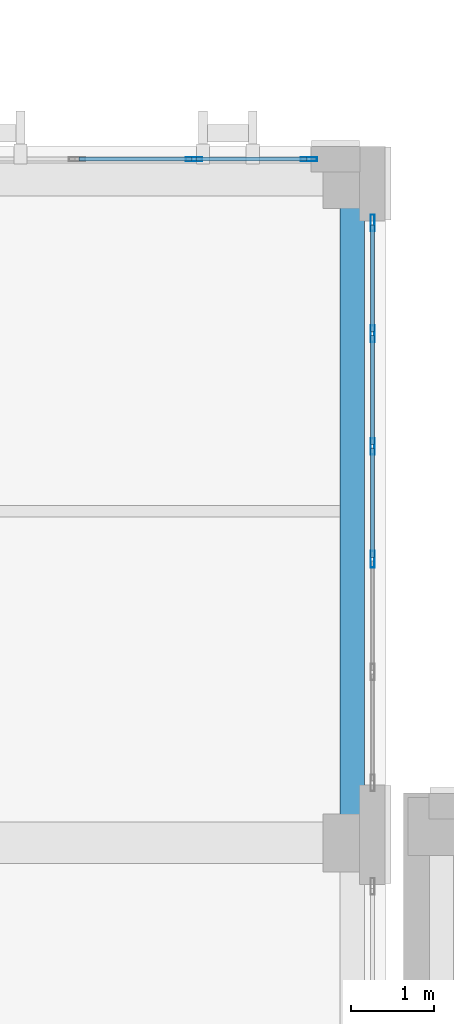
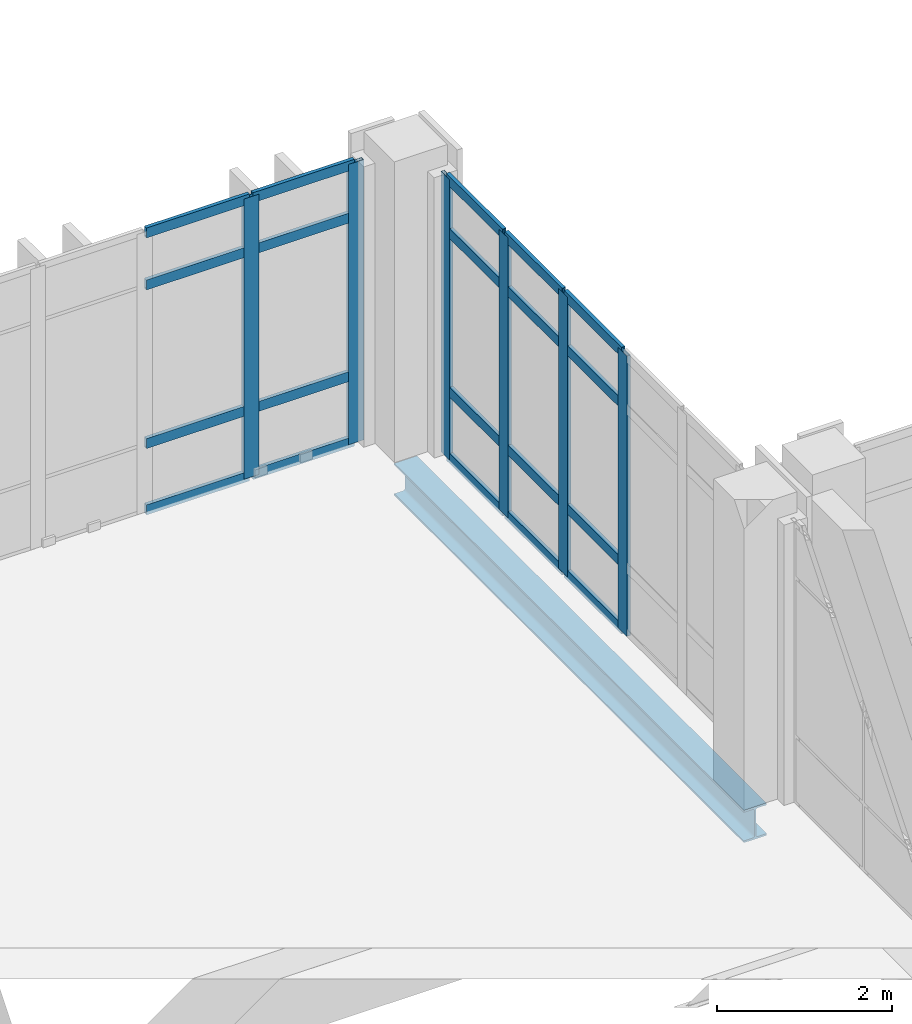
# One storey, part 55 of 193: 26 members, 1 beam, 2 elements without a shape of their own.
"""IFC4 building model written with IfcOpenShell, lengths in metres."""

import ifcopenshell
import ifcopenshell.guid

model = None  # the IFC model being written
_history = None  # IfcOwnerHistory: only IFC2X3 demands one
_inside = {}  # id of a spatial element -> (the spatial element, [elements in it])
_under = {}  # id of a project, library or spatial element -> (it, [spatial elements below it])
_declared = {}  # id of a project -> (the project, [libraries it declares])
_typed = {}  # id of a type object -> (the type object, [elements of that type])
_made_of = {}  # id of a material, layer set ... -> (it, [elements and type objects made of it])


def new_model(schema):
    """Start an empty IFC model of exactly this schema.

    Asked for "IFC4X3", IfcOpenShell would pick the latest addendum, in which some entities
    have other attributes; the version numbers below select the first issue.
    IFC2X3 requires an IfcOwnerHistory on every rooted entity: one is made here for all.
    """
    global model, _history
    if schema == "IFC4X3":
        model = ifcopenshell.file(schema_version=(4, 3, 0, 0))
    else:
        model = ifcopenshell.file(schema=schema)
    _inside.clear()
    _under.clear()
    _declared.clear()
    _typed.clear()
    _made_of.clear()
    _history = None
    if model.schema == "IFC2X3":
        org = make("IfcOrganization", Name="unknown")
        user = make(
            "IfcPersonAndOrganization",
            ThePerson=make("IfcPerson", FamilyName="unknown"),
            TheOrganization=org,
        )
        app = make(
            "IfcApplication",
            ApplicationDeveloper=org,
            Version="unknown",
            ApplicationFullName="unknown",
            ApplicationIdentifier="unknown",
        )
        _history = make(
            "IfcOwnerHistory",
            OwningUser=user,
            OwningApplication=app,
            ChangeAction="ADDED",
            CreationDate=0,
        )
    return model


def make(cls, **values):
    """One entity of the class cls with the attributes given. An attribute that is None is left unset."""
    return model.create_entity(
        cls, **{name: value for name, value in values.items() if value is not None}
    )


def rooted(cls, **values):
    """An entity with a GlobalId (a new one), such as an element, a storey or a relation."""
    return make(cls, GlobalId=ifcopenshell.guid.new(), OwnerHistory=_history, **values)


def si_unit(unit_type, name, prefix=None):
    """IfcSIUnit, for example si_unit("LENGTHUNIT", "METRE", prefix="MILLI")."""
    return make("IfcSIUnit", UnitType=unit_type, Prefix=prefix, Name=name)


def assignment(units):
    """IfcUnitAssignment: the units of a project."""
    return None if units is None else make("IfcUnitAssignment", Units=units)


def point(xyz):
    """IfcCartesianPoint."""
    return None if xyz is None else make("IfcCartesianPoint", Coordinates=xyz)


def direction(xyz):
    """IfcDirection."""
    return None if xyz is None else make("IfcDirection", DirectionRatios=xyz)


def frame(location, z_axis=None, x_axis=None):
    """IfcAxis2Placement3D, a coordinate frame: its origin and axes. An axis left out is left unset."""
    return make(
        "IfcAxis2Placement3D",
        Location=point(location),
        Axis=direction(z_axis),
        RefDirection=direction(x_axis),
    )


def frame_2d(location, x_axis=None):
    """IfcAxis2Placement2D, a coordinate frame in the plane: its origin and x axis."""
    return make(
        "IfcAxis2Placement2D", Location=point(location), RefDirection=direction(x_axis)
    )


def origin():
    """The frame at (0, 0, 0) with its axes left unset."""
    return frame((0.0, 0.0, 0.0))


def origin_2d():
    """The frame at (0, 0) in the plane with its x axis left unset."""
    return frame_2d((0.0, 0.0))


def place(relative_to, where):
    """IfcLocalPlacement: puts the frame where relative to a parent placement (None: the world)."""
    return make(
        "IfcLocalPlacement", PlacementRelTo=relative_to, RelativePlacement=where
    )


def context(
    kind, dimensions, precision=None, world=None, true_north=None, identifier=None
):
    """IfcGeometricRepresentationContext, for example the 3D "Model" context."""
    return make(
        "IfcGeometricRepresentationContext",
        ContextIdentifier=identifier,
        ContextType=kind,
        CoordinateSpaceDimension=dimensions,
        Precision=precision,
        WorldCoordinateSystem=world,
        TrueNorth=true_north,
    )


def subcontext(parent, identifier, kind, view, scale=None):
    """IfcGeometricRepresentationSubContext, for example "Body" below "Model"."""
    return make(
        "IfcGeometricRepresentationSubContext",
        ContextIdentifier=identifier,
        ContextType=kind,
        ParentContext=parent,
        TargetScale=scale,
        TargetView=view,
    )


def project(units=None, contexts=None):
    """IfcProject with its units and contexts."""
    return rooted(
        "IfcProject",
        Name="project",
        RepresentationContexts=contexts,
        UnitsInContext=assignment(units),
    )


def spatial(cls, under=None, at=None, **own):
    """A site, building, storey or space (cls), placed at a placement, below another one or the project."""
    s = rooted(cls, ObjectPlacement=at, **own)
    if under is not None:
        _under.setdefault(under.id(), (under, []))[1].append(s)
    return s


def profile(cls, at=None, kind="AREA", **sizes):
    """A parametric profile (cls). Its sizes go by their IFC names, for example OverallWidth=200.0."""
    return make(cls, ProfileType=kind, Position=at, **sizes)


def hollow_rectangle(**sizes):
    """IfcRectangleHollowProfileDef."""
    return profile("IfcRectangleHollowProfileDef", **sizes)


def i_section(**sizes):
    """IfcIShapeProfileDef."""
    return profile("IfcIShapeProfileDef", **sizes)


def extrude(swept, where, along, depth):
    """IfcExtrudedAreaSolid: the profile swept, set in the frame where, extruded along a direction by depth."""
    return make(
        "IfcExtrudedAreaSolid",
        SweptArea=swept,
        Position=where,
        ExtrudedDirection=direction(along),
        Depth=depth,
    )


def shape(context_of_items, identifier, shape_type, items):
    """IfcShapeRepresentation: the items that make up one representation, for example the "Body"."""
    return make(
        "IfcShapeRepresentation",
        ContextOfItems=context_of_items,
        RepresentationIdentifier=identifier,
        RepresentationType=shape_type,
        Items=items,
    )


def material(Name=None, Category=None):
    """IfcMaterial."""
    return make("IfcMaterial", Name=Name, Category=Category)


def layer(
    of_material, thickness, ventilated=None, Name=None, Category=None, Priority=None
):
    """IfcMaterialLayer: one layer of a wall or slab, of a material (None: an air gap)."""
    return make(
        "IfcMaterialLayer",
        Material=of_material,
        LayerThickness=thickness,
        IsVentilated=ventilated,
        Name=Name,
        Category=Category,
        Priority=Priority,
    )


def layer_set(layers, Name=None):
    """IfcMaterialLayerSet."""
    return make("IfcMaterialLayerSet", MaterialLayers=layers, LayerSetName=Name)


def material_profile(
    of_material, cross_section, Name=None, Category=None, Priority=None
):
    """IfcMaterialProfile: a cross section and its material."""
    return make(
        "IfcMaterialProfile",
        Name=Name,
        Material=of_material,
        Profile=cross_section,
        Priority=Priority,
        Category=Category,
    )


def profile_set(profiles, Name=None, composite=None):
    """IfcMaterialProfileSet."""
    return make(
        "IfcMaterialProfileSet",
        Name=Name,
        MaterialProfiles=profiles,
        CompositeProfile=composite,
    )


def made_of(thing, what):
    """Note that an element or type object is made of a material, layer set ...; save() writes the relation."""
    if what is not None:
        _made_of.setdefault(what.id(), (what, []))[1].append(thing)
    return thing


def type_object(cls, material=None, **own):
    """A type object (cls), such as IfcWallType, which elements share."""
    return made_of(rooted(cls, **own), material)


def element(
    cls,
    number,
    at=None,
    inside=None,
    cuts=None,
    type_object=None,
    material=None,
    context=None,
    identifier="Body",
    shape_type=None,
    held_by="IfcProductDefinitionShape",
    body=None,
    shapes=None,
    **own,
):
    """One element of the class cls, such as IfcWall. Its Tag is "e" and its number.

    at: its placement. inside: the storey or other place that contains it. cuts: it is an
    opening in that element (IfcRelVoidsElement). A single representation is given by context,
    identifier, shape_type and body (its items); several are given by shapes. held_by: the class
    of the entity that holds the representations. save() writes the other relations.
    """
    e = rooted(cls, Tag="e%d" % number, ObjectPlacement=at, **own)
    if body is not None:
        shapes = [shape(context, identifier, shape_type, body)]
    if shapes is not None:
        e.Representation = make(held_by, Representations=shapes)
    if inside is not None:
        _inside.setdefault(inside.id(), (inside, []))[1].append(e)
    if cuts is not None:
        rooted(
            "IfcRelVoidsElement", RelatingBuildingElement=cuts, RelatedOpeningElement=e
        )
    if type_object is not None:
        _typed.setdefault(type_object.id(), (type_object, []))[1].append(e)
    return made_of(e, material)


def aggregate(whole, parts):
    """IfcRelAggregates: a whole, such as a stair, and the parts it consists of."""
    return rooted("IfcRelAggregates", RelatingObject=whole, RelatedObjects=parts)


def save(model, path):
    """Write the relations noted so far, then the file.

    IfcRelAggregates (storeys below a building ...), IfcRelContainedInSpatialStructure (elements
    in a storey), IfcRelDefinesByType, IfcRelAssociatesMaterial and IfcRelDeclares: one each for
    every whole, place, type object, material and project.
    """
    for whole, parts in _under.values():
        aggregate(whole, parts)
    for where, things in _inside.values():
        rooted(
            "IfcRelContainedInSpatialStructure",
            RelatedElements=things,
            RelatingStructure=where,
        )
    for kind, things in _typed.values():
        rooted("IfcRelDefinesByType", RelatedObjects=things, RelatingType=kind)
    for what, things in _made_of.values():
        rooted("IfcRelAssociatesMaterial", RelatedObjects=things, RelatingMaterial=what)
    for by, libraries in _declared.values():
        rooted("IfcRelDeclares", RelatingContext=by, RelatedDefinitions=libraries)
    model.write(path)


model = new_model("IFC4")

# Units and contexts
model_context = context("Model", 3, precision=1e-05, world=origin(), true_north=direction((0.0, 1.0)))
body_context = subcontext(model_context, "Body", "Model", "MODEL_VIEW")
ifc_project = project(units=[si_unit("LENGTHUNIT", "METRE"), si_unit("AREAUNIT", "SQUARE_METRE"), si_unit("VOLUMEUNIT", "CUBIC_METRE"), si_unit("PLANEANGLEUNIT", "RADIAN"), si_unit("MASSUNIT", "GRAM", prefix="KILO")], contexts=[model_context])

# Site, building, storey
site_placement = place(None, origin())
site = spatial("IfcSite", under=ifc_project, at=site_placement, CompositionType="ELEMENT")
building_placement = place(site_placement, origin())
building = spatial("IfcBuilding", under=site, at=building_placement, Name="Qalavern Law Courts", CompositionType="ELEMENT")
storey_placement = place(building_placement, frame((0.0, 0.0, 10.199951171875)))
storey = spatial("IfcBuildingStorey", under=building, at=storey_placement, Name="L02", CompositionType="ELEMENT", Elevation=10.199951171875)

# Curtain wall, members
ifc_material_1 = material(Name="Anodised aluminium and insulated glazing", Category="aluminium")
ifc_layer = layer(ifc_material_1, 0.18505859375)
ifc_layer_set = layer_set([ifc_layer], Name="Anodised aluminium and insulated glazing")
curtain_wall_type = type_object("IfcCurtainWallType", Name="ENV-CW-HALL", PredefinedType="USERDEFINED", material=ifc_layer_set)
curtain_wall_1_placement = place(storey_placement, origin())
curtain_wall_1 = element("IfcCurtainWall", 1, at=curtain_wall_1_placement, inside=storey, type_object=curtain_wall_type, Name="V2 unitised curtain wall L02 east 2", ObjectType="UNITISED CURTAIN WALL", PredefinedType="USERDEFINED")
ifc_material_2 = material(Name="Anodised aluminium", Category="aluminium")
ifc_material_profile_1 = material_profile(ifc_material_2, hollow_rectangle(XDim=0.048095703125, YDim=0.199951171875, WallThickness=0.00439453125, at=origin_2d()), Name="ALU MULLION 48x200")
ifc_profile_set_1 = profile_set([ifc_material_profile_1], Name="Anodised aluminium")
member_type_1 = type_object("IfcMemberType", Name="ENV-CWM-48x200", PredefinedType="MULLION", material=ifc_profile_set_1)
member_1_placement = place(storey_placement, frame((101.044921875, 25.419921875, 0.0), z_axis=(0.0, 0.0, 1.0), x_axis=(-1.0, 0.0, 0.0)))
member_1 = element("IfcMember", 2, at=member_1_placement, type_object=member_type_1, Name="CW-02 mullion 3", PredefinedType="MULLION", context=body_context, shape_type="SweptSolid", body=[
    extrude(hollow_rectangle(XDim=0.048095703125, YDim=0.199951171875, WallThickness=0.00439453125, at=origin_2d()), origin(), (0.0, 0.0, 1.0), 3.9150390625),
])
member_2_placement = place(storey_placement, frame((101.044921875, 26.780029296875, 0.0), z_axis=(0.0, 0.0, 1.0), x_axis=(-1.0, 0.0, 0.0)))
member_2 = element("IfcMember", 3, at=member_2_placement, type_object=member_type_1, Name="CW-02 mullion 4", PredefinedType="MULLION", context=body_context, shape_type="SweptSolid", body=[
    extrude(hollow_rectangle(XDim=0.048095703125, YDim=0.199951171875, WallThickness=0.00439453125, at=origin_2d()), origin(), (0.0, 0.0, 1.0), 3.9150390625),
])
member_3_placement = place(storey_placement, frame((101.044921875, 28.139892578125, 0.0), z_axis=(0.0, 0.0, 1.0), x_axis=(-1.0, 0.0, 0.0)))
member_3 = element("IfcMember", 4, at=member_3_placement, type_object=member_type_1, Name="CW-02 mullion 5", PredefinedType="MULLION", context=body_context, shape_type="SweptSolid", body=[
    extrude(hollow_rectangle(XDim=0.048095703125, YDim=0.199951171875, WallThickness=0.00439453125, at=origin_2d()), origin(), (0.0, 0.0, 1.0), 3.9150390625),
])
member_4_placement = place(storey_placement, frame((101.044921875, 29.47607421875, 0.0), z_axis=(0.0, 0.0, 1.0), x_axis=(-1.0, 0.0, 0.0)))
member_4 = element("IfcMember", 5, at=member_4_placement, type_object=member_type_1, Name="CW-02 mullion 6", PredefinedType="MULLION", context=body_context, shape_type="SweptSolid", body=[
    extrude(hollow_rectangle(XDim=0.048095703125, YDim=0.199951171875, WallThickness=0.00439453125, at=origin_2d()), origin(), (0.0, 0.0, 1.0), 3.9150390625),
])

curtain_wall_2_placement = place(storey_placement, origin())
curtain_wall_2 = element("IfcCurtainWall", 6, at=curtain_wall_2_placement, inside=storey, type_object=curtain_wall_type, Name="V2 unitised curtain wall L02 north 1", ObjectType="UNITISED CURTAIN WALL", PredefinedType="USERDEFINED")
member_5_placement = place(storey_placement, frame((100.27587890625, 30.2451171875, 0.0), z_axis=(0.0, 0.0, 1.0), x_axis=(0.0, -1.0, 0.0)))
member_5 = element("IfcMember", 7, at=member_5_placement, type_object=member_type_1, Name="CW-02 mullion 1", PredefinedType="MULLION", context=body_context, shape_type="SweptSolid", body=[
    extrude(hollow_rectangle(XDim=0.048095703125, YDim=0.199951171875, WallThickness=0.00439453125, at=origin_2d()), origin(), (0.0, 0.0, 1.0), 3.9150390625),
])
member_6_placement = place(storey_placement, frame((98.890869140625, 30.2451171875, 0.0), z_axis=(0.0, 0.0, 1.0), x_axis=(0.0, -1.0, 0.0)))
member_6 = element("IfcMember", 8, at=member_6_placement, type_object=member_type_1, Name="CW-02 mullion 2", PredefinedType="MULLION", context=body_context, shape_type="SweptSolid", body=[
    extrude(hollow_rectangle(XDim=0.048095703125, YDim=0.199951171875, WallThickness=0.00439453125, at=origin_2d()), origin(), (0.0, 0.0, 1.0), 3.9150390625),
])

# Member
ifc_material_profile_2 = material_profile(ifc_material_2, hollow_rectangle(XDim=0.048095703125, YDim=0.139892578125, WallThickness=0.00390625, at=origin_2d()), Name="ALU TRANSOM 48x140")
ifc_profile_set_2 = profile_set([ifc_material_profile_2], Name="Anodised aluminium")
member_type_2 = type_object("IfcMemberType", Name="ENV-CWT-48x140", PredefinedType="USERDEFINED", material=ifc_profile_set_2)
member_7_placement = place(storey_placement, frame((101.044921875, 25.444091796875, 0.024169921875), z_axis=(0.0, 1.0, 0.0), x_axis=(-1.0, 0.0, 0.0)))
member_7 = element("IfcMember", 9, at=member_7_placement, type_object=member_type_2, Name="CW-02 transom 3.1", ObjectType="TRANSOM", PredefinedType="USERDEFINED", context=body_context, shape_type="SweptSolid", body=[
    extrude(hollow_rectangle(XDim=0.048095703125, YDim=0.139892578125, WallThickness=0.00390625, at=origin_2d()), origin(), (0.0, 0.0, 1.0), 1.31201171875),
])

member_8_placement = place(storey_placement, frame((101.044921875, 25.444091796875, 0.949951171875), z_axis=(0.0, 1.0, 0.0), x_axis=(-1.0, 0.0, 0.0)))
member_8 = element("IfcMember", 10, at=member_8_placement, type_object=member_type_2, Name="CW-02 transom 3.2", ObjectType="TRANSOM", PredefinedType="USERDEFINED", context=body_context, shape_type="SweptSolid", body=[
    extrude(hollow_rectangle(XDim=0.048095703125, YDim=0.139892578125, WallThickness=0.00390625, at=origin_2d()), origin(), (0.0, 0.0, 1.0), 1.31201171875),
])

member_9_placement = place(storey_placement, frame((101.044921875, 25.444091796875, 3.1650390625), z_axis=(0.0, 1.0, 0.0), x_axis=(-1.0, 0.0, 0.0)))
member_9 = element("IfcMember", 11, at=member_9_placement, type_object=member_type_2, Name="CW-02 transom 3.3", ObjectType="TRANSOM", PredefinedType="USERDEFINED", context=body_context, shape_type="SweptSolid", body=[
    extrude(hollow_rectangle(XDim=0.048095703125, YDim=0.139892578125, WallThickness=0.00390625, at=origin_2d()), origin(), (0.0, 0.0, 1.0), 1.31201171875),
])

member_10_placement = place(storey_placement, frame((101.044921875, 25.444091796875, 3.89111328125), z_axis=(0.0, 1.0, 0.0), x_axis=(-1.0, 0.0, 0.0)))
member_10 = element("IfcMember", 12, at=member_10_placement, type_object=member_type_2, Name="CW-02 transom 3.4", ObjectType="TRANSOM", PredefinedType="USERDEFINED", context=body_context, shape_type="SweptSolid", body=[
    extrude(hollow_rectangle(XDim=0.048095703125, YDim=0.139892578125, WallThickness=0.00390625, at=origin_2d()), origin(), (0.0, 0.0, 1.0), 1.31201171875),
])

member_11_placement = place(storey_placement, frame((101.044921875, 26.803955078125, 0.024169921875), z_axis=(0.0, 1.0, 0.0), x_axis=(-1.0, 0.0, 0.0)))
member_11 = element("IfcMember", 13, at=member_11_placement, type_object=member_type_2, Name="CW-02 transom 4.1", ObjectType="TRANSOM", PredefinedType="USERDEFINED", context=body_context, shape_type="SweptSolid", body=[
    extrude(hollow_rectangle(XDim=0.048095703125, YDim=0.139892578125, WallThickness=0.00390625, at=origin_2d()), origin(), (0.0, 0.0, 1.0), 1.31201171875),
])

member_12_placement = place(storey_placement, frame((101.044921875, 26.803955078125, 0.949951171875), z_axis=(0.0, 1.0, 0.0), x_axis=(-1.0, 0.0, 0.0)))
member_12 = element("IfcMember", 14, at=member_12_placement, type_object=member_type_2, Name="CW-02 transom 4.2", ObjectType="TRANSOM", PredefinedType="USERDEFINED", context=body_context, shape_type="SweptSolid", body=[
    extrude(hollow_rectangle(XDim=0.048095703125, YDim=0.139892578125, WallThickness=0.00390625, at=origin_2d()), origin(), (0.0, 0.0, 1.0), 1.31201171875),
])

member_13_placement = place(storey_placement, frame((101.044921875, 26.803955078125, 3.1650390625), z_axis=(0.0, 1.0, 0.0), x_axis=(-1.0, 0.0, 0.0)))
member_13 = element("IfcMember", 15, at=member_13_placement, type_object=member_type_2, Name="CW-02 transom 4.3", ObjectType="TRANSOM", PredefinedType="USERDEFINED", context=body_context, shape_type="SweptSolid", body=[
    extrude(hollow_rectangle(XDim=0.048095703125, YDim=0.139892578125, WallThickness=0.00390625, at=origin_2d()), origin(), (0.0, 0.0, 1.0), 1.31201171875),
])

member_14_placement = place(storey_placement, frame((101.044921875, 26.803955078125, 3.89111328125), z_axis=(0.0, 1.0, 0.0), x_axis=(-1.0, 0.0, 0.0)))
member_14 = element("IfcMember", 16, at=member_14_placement, type_object=member_type_2, Name="CW-02 transom 4.4", ObjectType="TRANSOM", PredefinedType="USERDEFINED", context=body_context, shape_type="SweptSolid", body=[
    extrude(hollow_rectangle(XDim=0.048095703125, YDim=0.139892578125, WallThickness=0.00390625, at=origin_2d()), origin(), (0.0, 0.0, 1.0), 1.31201171875),
])

member_15_placement = place(storey_placement, frame((101.044921875, 28.1640625, 0.024169921875), z_axis=(0.0, 1.0, 0.0), x_axis=(-1.0, 0.0, 0.0)))
member_15 = element("IfcMember", 17, at=member_15_placement, type_object=member_type_2, Name="CW-02 transom 5.1", ObjectType="TRANSOM", PredefinedType="USERDEFINED", context=body_context, shape_type="SweptSolid", body=[
    extrude(hollow_rectangle(XDim=0.048095703125, YDim=0.139892578125, WallThickness=0.00390625, at=origin_2d()), origin(), (0.0, 0.0, 1.0), 1.287841796875),
])

member_16_placement = place(storey_placement, frame((101.044921875, 28.1640625, 0.949951171875), z_axis=(0.0, 1.0, 0.0), x_axis=(-1.0, 0.0, 0.0)))
member_16 = element("IfcMember", 18, at=member_16_placement, type_object=member_type_2, Name="CW-02 transom 5.2", ObjectType="TRANSOM", PredefinedType="USERDEFINED", context=body_context, shape_type="SweptSolid", body=[
    extrude(hollow_rectangle(XDim=0.048095703125, YDim=0.139892578125, WallThickness=0.00390625, at=origin_2d()), origin(), (0.0, 0.0, 1.0), 1.287841796875),
])

member_17_placement = place(storey_placement, frame((101.044921875, 28.1640625, 3.1650390625), z_axis=(0.0, 1.0, 0.0), x_axis=(-1.0, 0.0, 0.0)))
member_17 = element("IfcMember", 19, at=member_17_placement, type_object=member_type_2, Name="CW-02 transom 5.3", ObjectType="TRANSOM", PredefinedType="USERDEFINED", context=body_context, shape_type="SweptSolid", body=[
    extrude(hollow_rectangle(XDim=0.048095703125, YDim=0.139892578125, WallThickness=0.00390625, at=origin_2d()), origin(), (0.0, 0.0, 1.0), 1.287841796875),
])

member_18_placement = place(storey_placement, frame((101.044921875, 28.1640625, 3.89111328125), z_axis=(0.0, 1.0, 0.0), x_axis=(-1.0, 0.0, 0.0)))
member_18 = element("IfcMember", 20, at=member_18_placement, type_object=member_type_2, Name="CW-02 transom 5.4", ObjectType="TRANSOM", PredefinedType="USERDEFINED", context=body_context, shape_type="SweptSolid", body=[
    extrude(hollow_rectangle(XDim=0.048095703125, YDim=0.139892578125, WallThickness=0.00390625, at=origin_2d()), origin(), (0.0, 0.0, 1.0), 1.287841796875),
])

aggregate(curtain_wall_1, [member_1, member_2, member_3, member_4, member_7, member_8, member_9, member_10, member_11, member_12, member_13, member_14, member_15, member_16, member_17, member_18])

member_19_placement = place(storey_placement, frame((100.251953125, 30.2451171875, 0.024169921875), z_axis=(-1.0, 0.0, 0.0), x_axis=(0.0, -1.0, 0.0)))
member_19 = element("IfcMember", 21, at=member_19_placement, type_object=member_type_2, Name="CW-02 transom 1.1", ObjectType="TRANSOM", PredefinedType="USERDEFINED", context=body_context, shape_type="SweptSolid", body=[
    extrude(hollow_rectangle(XDim=0.048095703125, YDim=0.139892578125, WallThickness=0.00390625, at=origin_2d()), origin(), (0.0, 0.0, 1.0), 1.3369140625),
])

member_20_placement = place(storey_placement, frame((100.251953125, 30.2451171875, 0.949951171875), z_axis=(-1.0, 0.0, 0.0), x_axis=(0.0, -1.0, 0.0)))
member_20 = element("IfcMember", 22, at=member_20_placement, type_object=member_type_2, Name="CW-02 transom 1.2", ObjectType="TRANSOM", PredefinedType="USERDEFINED", context=body_context, shape_type="SweptSolid", body=[
    extrude(hollow_rectangle(XDim=0.048095703125, YDim=0.139892578125, WallThickness=0.00390625, at=origin_2d()), origin(), (0.0, 0.0, 1.0), 1.3369140625),
])

member_21_placement = place(storey_placement, frame((100.251953125, 30.2451171875, 3.1650390625), z_axis=(-1.0, 0.0, 0.0), x_axis=(0.0, -1.0, 0.0)))
member_21 = element("IfcMember", 23, at=member_21_placement, type_object=member_type_2, Name="CW-02 transom 1.3", ObjectType="TRANSOM", PredefinedType="USERDEFINED", context=body_context, shape_type="SweptSolid", body=[
    extrude(hollow_rectangle(XDim=0.048095703125, YDim=0.139892578125, WallThickness=0.00390625, at=origin_2d()), origin(), (0.0, 0.0, 1.0), 1.3369140625),
])

member_22_placement = place(storey_placement, frame((100.251953125, 30.2451171875, 3.89111328125), z_axis=(-1.0, 0.0, 0.0), x_axis=(0.0, -1.0, 0.0)))
member_22 = element("IfcMember", 24, at=member_22_placement, type_object=member_type_2, Name="CW-02 transom 1.4", ObjectType="TRANSOM", PredefinedType="USERDEFINED", context=body_context, shape_type="SweptSolid", body=[
    extrude(hollow_rectangle(XDim=0.048095703125, YDim=0.139892578125, WallThickness=0.00390625, at=origin_2d()), origin(), (0.0, 0.0, 1.0), 1.3369140625),
])

member_23_placement = place(storey_placement, frame((98.866943359375, 30.2451171875, 0.024169921875), z_axis=(-1.0, 0.0, 0.0), x_axis=(0.0, -1.0, 0.0)))
member_23 = element("IfcMember", 25, at=member_23_placement, type_object=member_type_2, Name="CW-02 transom 2.1", ObjectType="TRANSOM", PredefinedType="USERDEFINED", context=body_context, shape_type="SweptSolid", body=[
    extrude(hollow_rectangle(XDim=0.048095703125, YDim=0.139892578125, WallThickness=0.00390625, at=origin_2d()), origin(), (0.0, 0.0, 1.0), 1.361083984375),
])

member_24_placement = place(storey_placement, frame((98.866943359375, 30.2451171875, 0.949951171875), z_axis=(-1.0, 0.0, 0.0), x_axis=(0.0, -1.0, 0.0)))
member_24 = element("IfcMember", 26, at=member_24_placement, type_object=member_type_2, Name="CW-02 transom 2.2", ObjectType="TRANSOM", PredefinedType="USERDEFINED", context=body_context, shape_type="SweptSolid", body=[
    extrude(hollow_rectangle(XDim=0.048095703125, YDim=0.139892578125, WallThickness=0.00390625, at=origin_2d()), origin(), (0.0, 0.0, 1.0), 1.361083984375),
])

member_25_placement = place(storey_placement, frame((98.866943359375, 30.2451171875, 3.1650390625), z_axis=(-1.0, 0.0, 0.0), x_axis=(0.0, -1.0, 0.0)))
member_25 = element("IfcMember", 27, at=member_25_placement, type_object=member_type_2, Name="CW-02 transom 2.3", ObjectType="TRANSOM", PredefinedType="USERDEFINED", context=body_context, shape_type="SweptSolid", body=[
    extrude(hollow_rectangle(XDim=0.048095703125, YDim=0.139892578125, WallThickness=0.00390625, at=origin_2d()), origin(), (0.0, 0.0, 1.0), 1.361083984375),
])

member_26_placement = place(storey_placement, frame((98.866943359375, 30.2451171875, 3.89111328125), z_axis=(-1.0, 0.0, 0.0), x_axis=(0.0, -1.0, 0.0)))
member_26 = element("IfcMember", 28, at=member_26_placement, type_object=member_type_2, Name="CW-02 transom 2.4", ObjectType="TRANSOM", PredefinedType="USERDEFINED", context=body_context, shape_type="SweptSolid", body=[
    extrude(hollow_rectangle(XDim=0.048095703125, YDim=0.139892578125, WallThickness=0.00390625, at=origin_2d()), origin(), (0.0, 0.0, 1.0), 1.361083984375),
])

aggregate(curtain_wall_2, [member_5, member_6, member_19, member_20, member_21, member_22, member_23, member_24, member_25, member_26])

# Beam
ifc_material_3 = material(Name="Steel S355", Category="steel")
ifc_material_profile_3 = material_profile(ifc_material_3, i_section(OverallWidth=0.300048828125, OverallDepth=0.449951171875, WebThickness=0.013916015625, FlangeThickness=0.02587890625, FilletRadius=0.027099609375, at=origin_2d()), Name="HEB 450")
ifc_profile_set_3 = profile_set([ifc_material_profile_3], Name="Steel S355")
beam_type = type_object("IfcBeamType", Name="STR-SP-HEB450", PredefinedType="SPANDREL", material=ifc_profile_set_3)
beam_placement = place(storey_placement, frame((100.800048828125, 22.0, -0.514892578125), z_axis=(0.0, 1.0, 0.0), x_axis=(-1.0, 0.0, 0.0)))
element("IfcBeam", 29, at=beam_placement, inside=storey, type_object=beam_type, Name="V2 Y-beam 8-3 L02", PredefinedType="SPANDREL", context=body_context, shape_type="SweptSolid", body=[
    extrude(i_section(OverallWidth=0.300048828125, OverallDepth=0.449951171875, WebThickness=0.013916015625, FlangeThickness=0.02587890625, FilletRadius=0.027099609375, at=origin_2d()), origin(), (0.0, 0.0, 1.0), 8.0),
])

save(model, "model.ifc")
